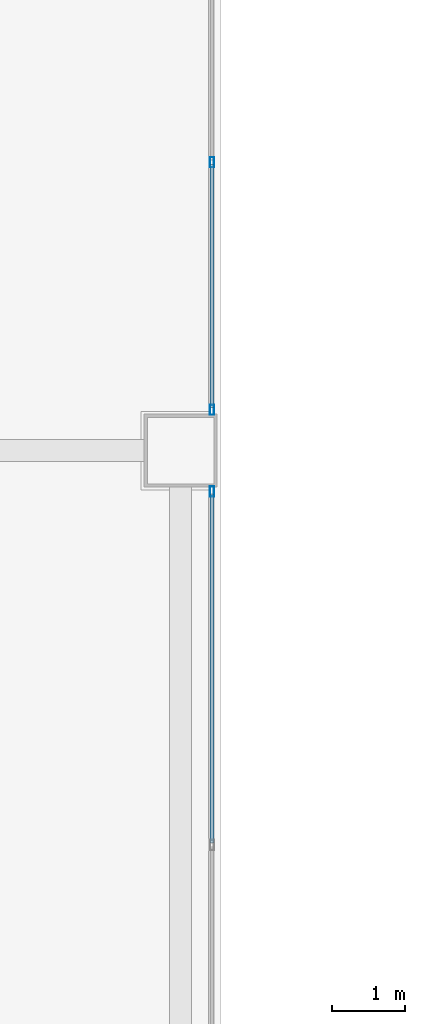
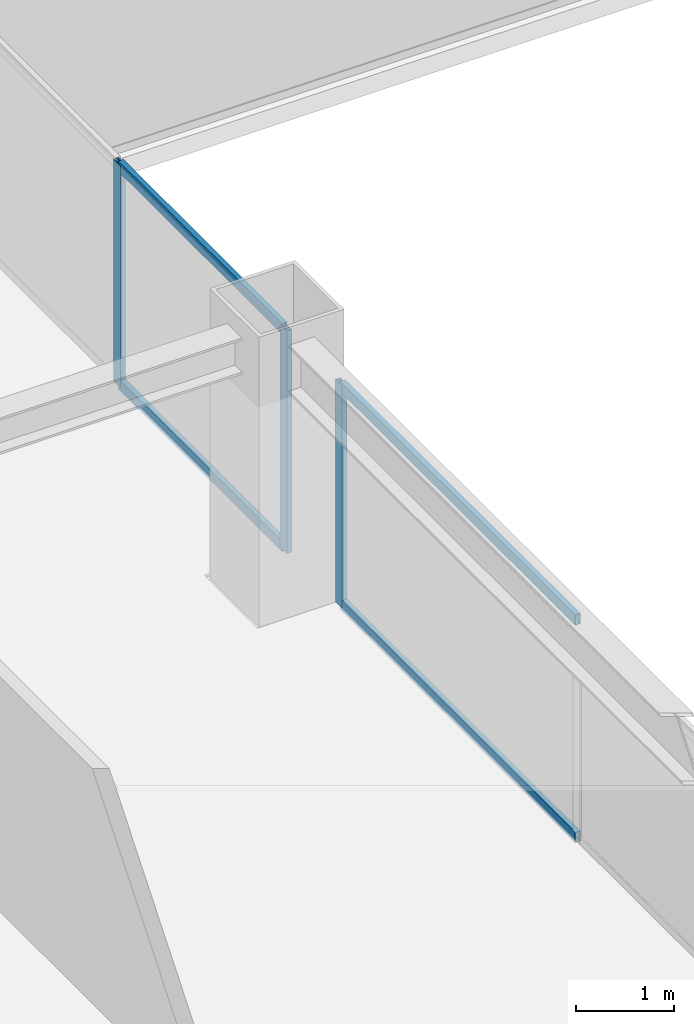
# One storey, part 7 of 28: 7 members, 2 elements without a shape of their own.
"""IFC4 building model written with IfcOpenShell, lengths in metres."""

import ifcopenshell
import ifcopenshell.guid

model = None  # the IFC model being written
_history = None  # IfcOwnerHistory: only IFC2X3 demands one
_inside = {}  # id of a spatial element -> (the spatial element, [elements in it])
_under = {}  # id of a project, library or spatial element -> (it, [spatial elements below it])
_declared = {}  # id of a project -> (the project, [libraries it declares])
_typed = {}  # id of a type object -> (the type object, [elements of that type])
_made_of = {}  # id of a material, layer set ... -> (it, [elements and type objects made of it])


def new_model(schema):
    """Start an empty IFC model of exactly this schema.

    Asked for "IFC4X3", IfcOpenShell would pick the latest addendum, in which some entities
    have other attributes; the version numbers below select the first issue.
    IFC2X3 requires an IfcOwnerHistory on every rooted entity: one is made here for all.
    """
    global model, _history
    if schema == "IFC4X3":
        model = ifcopenshell.file(schema_version=(4, 3, 0, 0))
    else:
        model = ifcopenshell.file(schema=schema)
    _inside.clear()
    _under.clear()
    _declared.clear()
    _typed.clear()
    _made_of.clear()
    _history = None
    if model.schema == "IFC2X3":
        org = make("IfcOrganization", Name="unknown")
        user = make(
            "IfcPersonAndOrganization",
            ThePerson=make("IfcPerson", FamilyName="unknown"),
            TheOrganization=org,
        )
        app = make(
            "IfcApplication",
            ApplicationDeveloper=org,
            Version="unknown",
            ApplicationFullName="unknown",
            ApplicationIdentifier="unknown",
        )
        _history = make(
            "IfcOwnerHistory",
            OwningUser=user,
            OwningApplication=app,
            ChangeAction="ADDED",
            CreationDate=0,
        )
    return model


def make(cls, **values):
    """One entity of the class cls with the attributes given. An attribute that is None is left unset."""
    return model.create_entity(
        cls, **{name: value for name, value in values.items() if value is not None}
    )


def rooted(cls, **values):
    """An entity with a GlobalId (a new one), such as an element, a storey or a relation."""
    return make(cls, GlobalId=ifcopenshell.guid.new(), OwnerHistory=_history, **values)


def si_unit(unit_type, name, prefix=None):
    """IfcSIUnit, for example si_unit("LENGTHUNIT", "METRE", prefix="MILLI")."""
    return make("IfcSIUnit", UnitType=unit_type, Prefix=prefix, Name=name)


def assignment(units):
    """IfcUnitAssignment: the units of a project."""
    return None if units is None else make("IfcUnitAssignment", Units=units)


def point(xyz):
    """IfcCartesianPoint."""
    return None if xyz is None else make("IfcCartesianPoint", Coordinates=xyz)


def direction(xyz):
    """IfcDirection."""
    return None if xyz is None else make("IfcDirection", DirectionRatios=xyz)


def frame(location, z_axis=None, x_axis=None):
    """IfcAxis2Placement3D, a coordinate frame: its origin and axes. An axis left out is left unset."""
    return make(
        "IfcAxis2Placement3D",
        Location=point(location),
        Axis=direction(z_axis),
        RefDirection=direction(x_axis),
    )


def frame_2d(location, x_axis=None):
    """IfcAxis2Placement2D, a coordinate frame in the plane: its origin and x axis."""
    return make(
        "IfcAxis2Placement2D", Location=point(location), RefDirection=direction(x_axis)
    )


def origin():
    """The frame at (0, 0, 0) with its axes left unset."""
    return frame((0.0, 0.0, 0.0))


def origin_2d():
    """The frame at (0, 0) in the plane with its x axis left unset."""
    return frame_2d((0.0, 0.0))


def place(relative_to, where):
    """IfcLocalPlacement: puts the frame where relative to a parent placement (None: the world)."""
    return make(
        "IfcLocalPlacement", PlacementRelTo=relative_to, RelativePlacement=where
    )


def context(
    kind, dimensions, precision=None, world=None, true_north=None, identifier=None
):
    """IfcGeometricRepresentationContext, for example the 3D "Model" context."""
    return make(
        "IfcGeometricRepresentationContext",
        ContextIdentifier=identifier,
        ContextType=kind,
        CoordinateSpaceDimension=dimensions,
        Precision=precision,
        WorldCoordinateSystem=world,
        TrueNorth=true_north,
    )


def subcontext(parent, identifier, kind, view, scale=None):
    """IfcGeometricRepresentationSubContext, for example "Body" below "Model"."""
    return make(
        "IfcGeometricRepresentationSubContext",
        ContextIdentifier=identifier,
        ContextType=kind,
        ParentContext=parent,
        TargetScale=scale,
        TargetView=view,
    )


def project(units=None, contexts=None):
    """IfcProject with its units and contexts."""
    return rooted(
        "IfcProject",
        Name="project",
        RepresentationContexts=contexts,
        UnitsInContext=assignment(units),
    )


def spatial(cls, under=None, at=None, **own):
    """A site, building, storey or space (cls), placed at a placement, below another one or the project."""
    s = rooted(cls, ObjectPlacement=at, **own)
    if under is not None:
        _under.setdefault(under.id(), (under, []))[1].append(s)
    return s


def profile(cls, at=None, kind="AREA", **sizes):
    """A parametric profile (cls). Its sizes go by their IFC names, for example OverallWidth=200.0."""
    return make(cls, ProfileType=kind, Position=at, **sizes)


def hollow_rectangle(**sizes):
    """IfcRectangleHollowProfileDef."""
    return profile("IfcRectangleHollowProfileDef", **sizes)


def extrude(swept, where, along, depth):
    """IfcExtrudedAreaSolid: the profile swept, set in the frame where, extruded along a direction by depth."""
    return make(
        "IfcExtrudedAreaSolid",
        SweptArea=swept,
        Position=where,
        ExtrudedDirection=direction(along),
        Depth=depth,
    )


def shape(context_of_items, identifier, shape_type, items):
    """IfcShapeRepresentation: the items that make up one representation, for example the "Body"."""
    return make(
        "IfcShapeRepresentation",
        ContextOfItems=context_of_items,
        RepresentationIdentifier=identifier,
        RepresentationType=shape_type,
        Items=items,
    )


def source(mapping_origin, context_of_items, identifier, shape_type, items):
    """IfcRepresentationMap: a shape defined once, which mapped items show again and again."""
    return make(
        "IfcRepresentationMap",
        MappingOrigin=mapping_origin,
        MappedRepresentation=shape(context_of_items, identifier, shape_type, items),
    )


def transform(
    local_origin,
    x_axis=None,
    y_axis=None,
    z_axis=None,
    scale=None,
    scale2=None,
    scale3=None,
    uniform=True,
):
    """IfcCartesianTransformationOperator3D, or its non-uniform kind. x_axis, y_axis, z_axis: its Axis1, 2, 3."""
    if uniform:
        return make(
            "IfcCartesianTransformationOperator3D",
            Axis1=direction(x_axis),
            Axis2=direction(y_axis),
            LocalOrigin=point(local_origin),
            Scale=scale,
            Axis3=direction(z_axis),
        )
    return make(
        "IfcCartesianTransformationOperator3DnonUniform",
        Axis1=direction(x_axis),
        Axis2=direction(y_axis),
        LocalOrigin=point(local_origin),
        Scale=scale,
        Axis3=direction(z_axis),
        Scale2=scale2,
        Scale3=scale3,
    )


def mapped(mapping_source, mapping_target):
    """IfcMappedItem: shows the shape of a source again, moved by a transform."""
    return make(
        "IfcMappedItem", MappingSource=mapping_source, MappingTarget=mapping_target
    )


def material(Name=None, Category=None):
    """IfcMaterial."""
    return make("IfcMaterial", Name=Name, Category=Category)


def layer(
    of_material, thickness, ventilated=None, Name=None, Category=None, Priority=None
):
    """IfcMaterialLayer: one layer of a wall or slab, of a material (None: an air gap)."""
    return make(
        "IfcMaterialLayer",
        Material=of_material,
        LayerThickness=thickness,
        IsVentilated=ventilated,
        Name=Name,
        Category=Category,
        Priority=Priority,
    )


def layer_set(layers, Name=None):
    """IfcMaterialLayerSet."""
    return make("IfcMaterialLayerSet", MaterialLayers=layers, LayerSetName=Name)


def material_profile(
    of_material, cross_section, Name=None, Category=None, Priority=None
):
    """IfcMaterialProfile: a cross section and its material."""
    return make(
        "IfcMaterialProfile",
        Name=Name,
        Material=of_material,
        Profile=cross_section,
        Priority=Priority,
        Category=Category,
    )


def profile_set(profiles, Name=None, composite=None):
    """IfcMaterialProfileSet."""
    return make(
        "IfcMaterialProfileSet",
        Name=Name,
        MaterialProfiles=profiles,
        CompositeProfile=composite,
    )


def made_of(thing, what):
    """Note that an element or type object is made of a material, layer set ...; save() writes the relation."""
    if what is not None:
        _made_of.setdefault(what.id(), (what, []))[1].append(thing)
    return thing


def type_object(cls, material=None, **own):
    """A type object (cls), such as IfcWallType, which elements share."""
    return made_of(rooted(cls, **own), material)


def element(
    cls,
    number,
    at=None,
    inside=None,
    cuts=None,
    type_object=None,
    material=None,
    context=None,
    identifier="Body",
    shape_type=None,
    held_by="IfcProductDefinitionShape",
    body=None,
    shapes=None,
    **own,
):
    """One element of the class cls, such as IfcWall. Its Tag is "e" and its number.

    at: its placement. inside: the storey or other place that contains it. cuts: it is an
    opening in that element (IfcRelVoidsElement). A single representation is given by context,
    identifier, shape_type and body (its items); several are given by shapes. held_by: the class
    of the entity that holds the representations. save() writes the other relations.
    """
    e = rooted(cls, Tag="e%d" % number, ObjectPlacement=at, **own)
    if body is not None:
        shapes = [shape(context, identifier, shape_type, body)]
    if shapes is not None:
        e.Representation = make(held_by, Representations=shapes)
    if inside is not None:
        _inside.setdefault(inside.id(), (inside, []))[1].append(e)
    if cuts is not None:
        rooted(
            "IfcRelVoidsElement", RelatingBuildingElement=cuts, RelatedOpeningElement=e
        )
    if type_object is not None:
        _typed.setdefault(type_object.id(), (type_object, []))[1].append(e)
    return made_of(e, material)


def aggregate(whole, parts):
    """IfcRelAggregates: a whole, such as a stair, and the parts it consists of."""
    return rooted("IfcRelAggregates", RelatingObject=whole, RelatedObjects=parts)


def save(model, path):
    """Write the relations noted so far, then the file.

    IfcRelAggregates (storeys below a building ...), IfcRelContainedInSpatialStructure (elements
    in a storey), IfcRelDefinesByType, IfcRelAssociatesMaterial and IfcRelDeclares: one each for
    every whole, place, type object, material and project.
    """
    for whole, parts in _under.values():
        aggregate(whole, parts)
    for where, things in _inside.values():
        rooted(
            "IfcRelContainedInSpatialStructure",
            RelatedElements=things,
            RelatingStructure=where,
        )
    for kind, things in _typed.values():
        rooted("IfcRelDefinesByType", RelatedObjects=things, RelatingType=kind)
    for what, things in _made_of.values():
        rooted("IfcRelAssociatesMaterial", RelatedObjects=things, RelatingMaterial=what)
    for by, libraries in _declared.values():
        rooted("IfcRelDeclares", RelatingContext=by, RelatedDefinitions=libraries)
    model.write(path)


model = new_model("IFC4")

# Units and contexts
model_context = context("Model", 3, precision=1e-05, world=origin(), true_north=direction((0.0, 1.0)))
body_context = subcontext(model_context, "Body", "Model", "MODEL_VIEW")
ifc_project = project(units=[si_unit("LENGTHUNIT", "METRE"), si_unit("AREAUNIT", "SQUARE_METRE"), si_unit("VOLUMEUNIT", "CUBIC_METRE"), si_unit("PLANEANGLEUNIT", "RADIAN"), si_unit("MASSUNIT", "GRAM", prefix="KILO")], contexts=[model_context])

# Site, building, storey
site_placement = place(None, origin())
site = spatial("IfcSite", under=ifc_project, at=site_placement, CompositionType="ELEMENT")
building_placement = place(site_placement, origin())
building = spatial("IfcBuilding", under=site, at=building_placement, Name="Sumidabori Civic Tower", CompositionType="ELEMENT")
storey_placement = place(building_placement, frame((0.0, 0.0, 210.800048828125)))
storey = spatial("IfcBuildingStorey", under=building, at=storey_placement, Name="L54", CompositionType="ELEMENT", Elevation=210.800048828125)

# Curtain wall, member
ifc_material = material(Name="Anodised Bronze Aluminium AW-6063-T6", Category="aluminium")
ifc_layer = layer(ifc_material, 0.179931640625, Name="Anodised Bronze Aluminium AW-6063-T6")
ifc_layer_set = layer_set([ifc_layer], Name="Anodised Bronze Aluminium AW-6063-T6")
curtain_wall_type = type_object("IfcCurtainWallType", Name="CW-SYS-4", PredefinedType="NOTDEFINED", material=ifc_layer_set)
curtain_wall_1_placement = place(storey_placement, origin())
curtain_wall_1 = element("IfcCurtainWall", 1, at=curtain_wall_1_placement, inside=storey, type_object=curtain_wall_type, Name="Curtain Wall CW:L54:R03", PredefinedType="NOTDEFINED")
ifc_material_profile_1 = material_profile(ifc_material, hollow_rectangle(XDim=0.06005859375, YDim=0.139892578125, WallThickness=0.0048828125, at=origin_2d()), Name="ALU MULLION 140x60")
ifc_profile_set_1 = profile_set([ifc_material_profile_1], Name="Anodised Bronze Aluminium AW-6063-T6")
member_type_1 = type_object("IfcMemberType", Name="CW-MUL-140", PredefinedType="MULLION", material=ifc_profile_set_1)
shared_shape_1 = source(origin(), body_context, "Body", "SweptSolid", [
    extrude(hollow_rectangle(XDim=0.06005859375, YDim=0.139892578125, WallThickness=0.0048828125, at=origin_2d()), origin(), (0.0, 0.0, 1.0), 2.760009765625),
])
member_1_placement = place(storey_placement, frame((-7.969970703125, -0.56005859375, 0.0), z_axis=(0.0, 0.0, 1.0), x_axis=(-1.0, 0.0, 0.0)))
member_1 = element("IfcMember", 2, at=member_1_placement, type_object=member_type_1, Name="CW-4 mullion 3", PredefinedType="MULLION", context=body_context, shape_type="MappedRepresentation", body=[
    mapped(shared_shape_1, transform((0.0, 0.0, 0.0), x_axis=(1.0, 0.0, 0.0), y_axis=(0.0, 1.0, 0.0), z_axis=(0.0, 0.0, 1.0), scale=1.0)),
])

# Curtain wall, members
curtain_wall_2_placement = place(storey_placement, origin())
curtain_wall_2 = element("IfcCurtainWall", 3, at=curtain_wall_2_placement, inside=storey, type_object=curtain_wall_type, Name="Curtain Wall CW:L54:R04", PredefinedType="NOTDEFINED")
member_2_placement = place(storey_placement, frame((-7.969970703125, 0.56005859375, 0.0), z_axis=(0.0, 0.0, 1.0), x_axis=(-1.0, 0.0, 0.0)))
member_2 = element("IfcMember", 4, at=member_2_placement, type_object=member_type_1, Name="CW-4 mullion 1", PredefinedType="MULLION", context=body_context, shape_type="MappedRepresentation", body=[
    mapped(shared_shape_1, transform((0.0, 0.0, 0.0), x_axis=(1.0, 0.0, 0.0), y_axis=(0.0, 1.0, 0.0), z_axis=(0.0, 0.0, 1.0), scale=1.0)),
])
member_3_placement = place(storey_placement, frame((-7.969970703125, 3.949951171875, 0.0), z_axis=(0.0, 0.0, 1.0), x_axis=(-1.0, 0.0, 0.0)))
member_3 = element("IfcMember", 5, at=member_3_placement, type_object=member_type_1, Name="CW-4 mullion 2", PredefinedType="MULLION", context=body_context, shape_type="MappedRepresentation", body=[
    mapped(shared_shape_1, transform((0.0, 0.0, 0.0), x_axis=(1.0, 0.0, 0.0), y_axis=(0.0, 1.0, 0.0), z_axis=(0.0, 0.0, 1.0), scale=1.0)),
])

# Member
ifc_material_profile_2 = material_profile(ifc_material, hollow_rectangle(XDim=0.06005859375, YDim=0.1298828125, WallThickness=0.0048828125, at=origin_2d()), Name="ALU TRANSOM 130x60")
ifc_profile_set_2 = profile_set([ifc_material_profile_2], Name="Anodised Bronze Aluminium AW-6063-T6")
member_type_2 = type_object("IfcMemberType", Name="CW-TRN-130", PredefinedType="USERDEFINED", material=ifc_profile_set_2)
shared_shape_2 = source(origin(), body_context, "Body", "SweptSolid", [
    extrude(hollow_rectangle(XDim=0.06005859375, YDim=0.1298828125, WallThickness=0.0048828125, at=origin_2d()), origin(), (0.0, 0.0, 1.0), 4.780029296875),
])
member_4_placement = place(storey_placement, frame((-7.969970703125, -5.3701171875, 0.030029296875), z_axis=(0.0, 1.0, 0.0), x_axis=(-1.0, 0.0, 0.0)))
member_4 = element("IfcMember", 6, at=member_4_placement, type_object=member_type_2, Name="CW-4 transom 2.1", ObjectType="TRANSOM", PredefinedType="USERDEFINED", context=body_context, shape_type="MappedRepresentation", body=[
    mapped(shared_shape_2, transform((0.0, 0.0, 0.0), x_axis=(1.0, 0.0, 0.0), y_axis=(0.0, 1.0, 0.0), z_axis=(0.0, 0.0, 1.0), scale=1.0)),
])

member_5_placement = place(storey_placement, frame((-7.969970703125, -5.3701171875, 2.72998046875), z_axis=(0.0, 1.0, 0.0), x_axis=(-1.0, 0.0, 0.0)))
member_5 = element("IfcMember", 7, at=member_5_placement, type_object=member_type_2, Name="CW-4 transom 2.2", ObjectType="TRANSOM", PredefinedType="USERDEFINED", context=body_context, shape_type="MappedRepresentation", body=[
    mapped(shared_shape_2, transform((0.0, 0.0, 0.0), x_axis=(1.0, 0.0, 0.0), y_axis=(0.0, 1.0, 0.0), z_axis=(0.0, 0.0, 1.0), scale=1.0)),
])

aggregate(curtain_wall_1, [member_1, member_4, member_5])

shared_shape_3 = source(origin(), body_context, "Body", "SweptSolid", [
    extrude(hollow_rectangle(XDim=0.06005859375, YDim=0.1298828125, WallThickness=0.0048828125, at=origin_2d()), origin(), (0.0, 0.0, 1.0), 3.329833984375),
])
member_6_placement = place(storey_placement, frame((-7.969970703125, 0.590087890625, 0.030029296875), z_axis=(0.0, 1.0, 0.0), x_axis=(-1.0, 0.0, 0.0)))
member_6 = element("IfcMember", 8, at=member_6_placement, type_object=member_type_2, Name="CW-4 transom 1.1", ObjectType="TRANSOM", PredefinedType="USERDEFINED", context=body_context, shape_type="MappedRepresentation", body=[
    mapped(shared_shape_3, transform((0.0, 0.0, 0.0), x_axis=(1.0, 0.0, 0.0), y_axis=(0.0, 1.0, 0.0), z_axis=(0.0, 0.0, 1.0), scale=1.0)),
])

member_7_placement = place(storey_placement, frame((-7.969970703125, 0.590087890625, 2.72998046875), z_axis=(0.0, 1.0, 0.0), x_axis=(-1.0, 0.0, 0.0)))
member_7 = element("IfcMember", 9, at=member_7_placement, type_object=member_type_2, Name="CW-4 transom 1.2", ObjectType="TRANSOM", PredefinedType="USERDEFINED", context=body_context, shape_type="MappedRepresentation", body=[
    mapped(shared_shape_3, transform((0.0, 0.0, 0.0), x_axis=(1.0, 0.0, 0.0), y_axis=(0.0, 1.0, 0.0), z_axis=(0.0, 0.0, 1.0), scale=1.0)),
])

aggregate(curtain_wall_2, [member_2, member_3, member_6, member_7])

save(model, "model.ifc")
